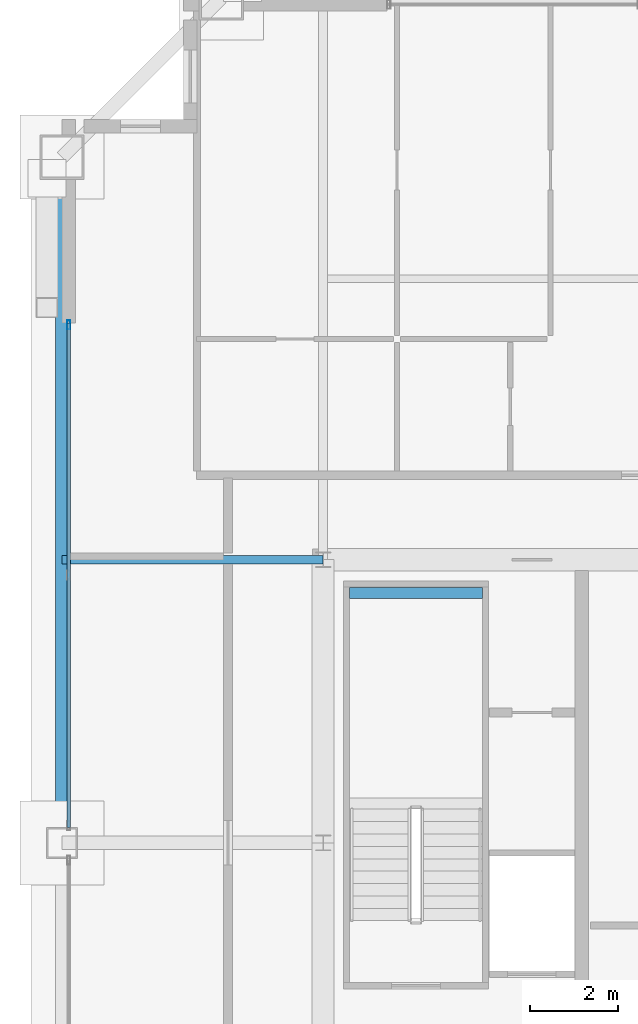
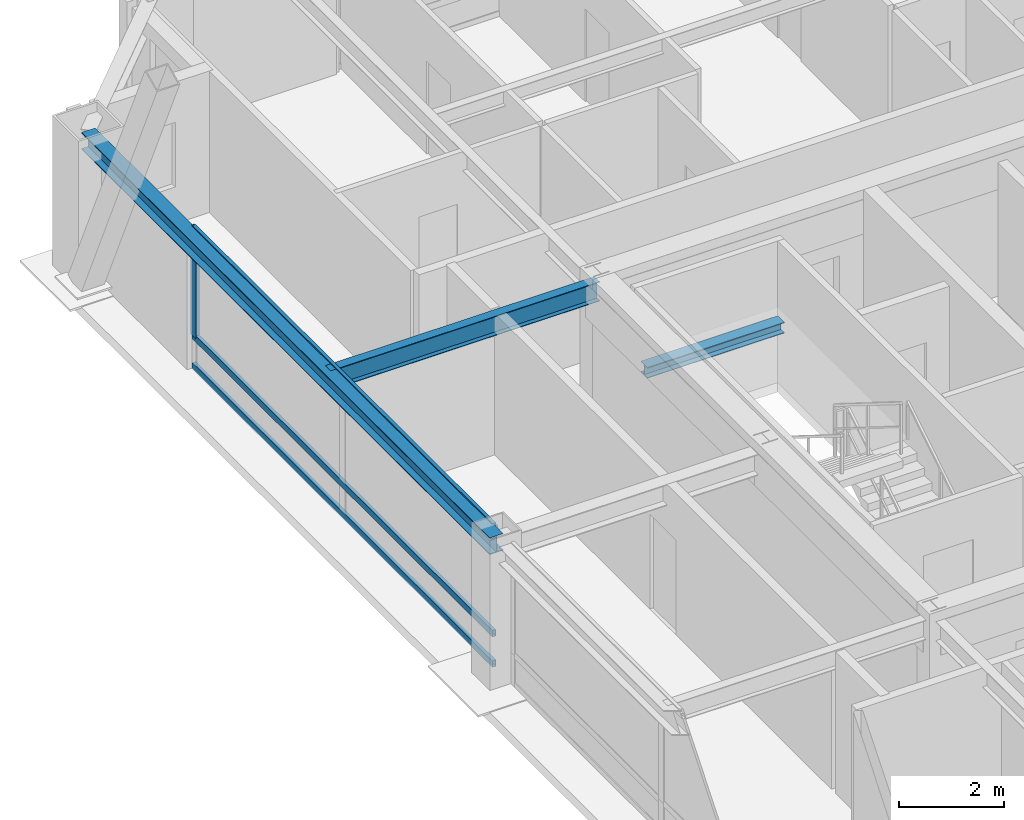
# One storey, part 12 of 35: 4 members, 3 beams, 1 element without a shape of its own.
"""IFC4 building model written with IfcOpenShell, lengths in metres."""

from ifc_helpers import new_model, si_unit, direction, frame, origin, origin_2d, place, context, subcontext, project, spatial, hollow_rectangle, i_section, extrude, source, transform, mapped, material, layer, layer_set, material_profile, profile_set, type_object, element, aggregate, save


model = new_model("IFC4")

# Units and contexts
model_context = context("Model", 3, precision=1e-05, world=origin(), true_north=direction((0.0, 1.0)))
body_context = subcontext(model_context, "Body", "Model", "MODEL_VIEW")
ifc_project = project(units=[si_unit("LENGTHUNIT", "METRE"), si_unit("AREAUNIT", "SQUARE_METRE"), si_unit("VOLUMEUNIT", "CUBIC_METRE"), si_unit("PLANEANGLEUNIT", "RADIAN"), si_unit("MASSUNIT", "GRAM", prefix="KILO"), si_unit("THERMODYNAMICTEMPERATUREUNIT", "KELVIN"), si_unit("POWERUNIT", "WATT")], contexts=[model_context])

# Site, building, storey
site_placement = place(None, origin())
site = spatial("IfcSite", under=ifc_project, at=site_placement, CompositionType="ELEMENT")
building_placement = place(site_placement, origin())
building = spatial("IfcBuilding", under=site, at=building_placement, Name="Yuzanri Waterfront Tower", CompositionType="ELEMENT")
storey_placement = place(building_placement, frame((0.0, 0.0, 285.60009765625)))
storey = spatial("IfcBuildingStorey", under=building, at=storey_placement, Name="L76", CompositionType="ELEMENT", Elevation=285.60009765625)

# Beams
ifc_material_1 = material(Name="Steel Q355B", Category="steel")
ifc_material_profile_1 = material_profile(ifc_material_1, i_section(OverallWidth=0.300048828125, OverallDepth=0.389892578125, WebThickness=0.010009765625, FlangeThickness=0.01611328125, at=origin_2d()), Name="HM 390x300x10x16")
ifc_profile_set_1 = profile_set([ifc_material_profile_1], Name="Steel Q355B")
beam_type_1 = type_object("IfcBeamType", Name="Perimeter Spandrel Q355B HM 390x300", PredefinedType="SPANDREL", material=ifc_profile_set_1)
shared_shape_1 = source(origin(), body_context, "Body", "SweptSolid", [
    extrude(i_section(OverallWidth=0.300048828125, OverallDepth=0.389892578125, WebThickness=0.010009765625, FlangeThickness=0.01611328125, at=origin_2d()), origin(), (0.0, 0.0, 1.0), 15.5),
])
beam_1_placement = place(storey_placement, frame((17.89990234375, 41.300048828125, 3.0849609375), z_axis=(0.0, -1.0, 0.0), x_axis=(1.0, 0.0, 0.0)))
element("IfcBeam", 1, at=beam_1_placement, inside=storey, type_object=beam_type_1, Name="L76 Perimeter Spandrel W3-W2", PredefinedType="SPANDREL", context=body_context, shape_type="MappedRepresentation", body=[
    mapped(shared_shape_1, transform((0.0, 0.0, 0.0), scale=1.0)),
])
ifc_material_2 = material(Name="Steel Q355B", Category="steel")
ifc_material_profile_2 = material_profile(ifc_material_2, i_section(OverallWidth=0.199951171875, OverallDepth=0.449951171875, WebThickness=0.009033203125, FlangeThickness=0.013916015625, at=origin_2d()), Name="HN 450x200x9x14")
ifc_profile_set_2 = profile_set([ifc_material_profile_2], Name="Steel Q355B")
beam_type_2 = type_object("IfcBeamType", Name="Secondary Floor Beam Q355B HN 450x200", PredefinedType="BEAM", material=ifc_profile_set_2)
shared_shape_2 = source(origin(), body_context, "Body", "SweptSolid", [
    extrude(i_section(OverallWidth=0.199951171875, OverallDepth=0.449951171875, WebThickness=0.009033203125, FlangeThickness=0.013916015625, at=origin_2d()), origin(), (0.0, 0.0, 1.0), 5.900146484375),
])
beam_2_placement = place(storey_placement, frame((23.800048828125, 32.199951171875, 3.054931640625), z_axis=(-1.0, 0.0, 0.0), x_axis=(0.0, -1.0, 0.0)))
element("IfcBeam", 2, at=beam_2_placement, inside=storey, type_object=beam_type_2, Name="L76 West-North Core Line Beam", PredefinedType="BEAM", context=body_context, shape_type="MappedRepresentation", body=[
    mapped(shared_shape_2, transform((0.0, 0.0, 0.0), scale=1.0)),
])

# Curtain wall, members
ifc_material_3 = material(Name="Anodized Architectural Bronze", Category="metal")
ifc_layer = layer(ifc_material_3, 0.159912109375)
ifc_layer_set = layer_set([ifc_layer], Name="Anodized Architectural Bronze")
curtain_wall_type = type_object("IfcCurtainWallType", Name="Anodized Bronze High-Rise Penthouse High-Wind Unitized Curtain Wall 6900", PredefinedType="NOTDEFINED", material=ifc_layer_set)
curtain_wall_placement = place(storey_placement, origin())
curtain_wall = element("IfcCurtainWall", 3, at=curtain_wall_placement, inside=storey, type_object=curtain_wall_type, Name="L76 Curtain Wall CW-L76-WR", PredefinedType="NOTDEFINED")
ifc_material_4 = material(Name="Anodized Architectural Bronze", Category="metal")
ifc_material_profile_3 = material_profile(ifc_material_4, hollow_rectangle(XDim=0.074951171875, YDim=0.199951171875, WallThickness=0.00390625, at=origin_2d()), Name="CWM 75x200")
ifc_profile_set_3 = profile_set([ifc_material_profile_3], Name="Anodized Architectural Bronze")
member_type_1 = type_object("IfcMemberType", Name="Anodized Bronze Primary Curtain-Wall Mullion 75x200", PredefinedType="MULLION", material=ifc_profile_set_3)
shared_shape_3 = source(origin(), body_context, "Body", "SweptSolid", [
    extrude(hollow_rectangle(XDim=0.074951171875, YDim=0.199951171875, WallThickness=0.00390625, at=origin_2d()), origin(), (0.0, 0.0, 1.0), 2.52392578125),
])
member_1_placement = place(storey_placement, frame((18.050048828125, 37.510009765625, 0.755859375), z_axis=(0.0, 0.0, 1.0), x_axis=(1.0, 0.0, 0.0)))
member_1 = element("IfcMember", 4, at=member_1_placement, type_object=member_type_1, Name="CW-L76-WR Upper Mullion 02", PredefinedType="MULLION", context=body_context, shape_type="MappedRepresentation", body=[
    mapped(shared_shape_3, transform((0.0, 0.0, 0.0), scale=1.0)),
])
ifc_material_5 = material(Name="Anodized Architectural Bronze", Category="metal")
ifc_material_profile_4 = material_profile(ifc_material_5, hollow_rectangle(XDim=0.074951171875, YDim=0.14990234375, WallThickness=0.00390625, at=origin_2d()), Name="CWT 75x150")
ifc_profile_set_4 = profile_set([ifc_material_profile_4], Name="Anodized Architectural Bronze")
member_type_2 = type_object("IfcMemberType", Name="Anodized Bronze Primary Curtain-Wall Transom 75x150", PredefinedType="USERDEFINED", material=ifc_profile_set_4)
shared_shape_4 = source(origin(), body_context, "Body", "SweptSolid", [
    extrude(hollow_rectangle(XDim=0.074951171875, YDim=0.14990234375, WallThickness=0.00390625, at=origin_2d()), origin(), (0.0, 0.0, 1.0), 11.400146484375),
])
member_2_placement = place(storey_placement, frame((18.050048828125, 26.14990234375, 0.0498046875), z_axis=(0.0, 1.0, 0.0), x_axis=(-1.0, 0.0, 0.0)))
member_2 = element("IfcMember", 5, at=member_2_placement, type_object=member_type_2, Name="CW-L76-WR Transom 1", ObjectType="TRANSOM", PredefinedType="USERDEFINED", context=body_context, shape_type="MappedRepresentation", body=[
    mapped(shared_shape_4, transform((0.0, 0.0, 0.0), scale=1.0)),
])
member_3_placement = place(storey_placement, frame((18.050048828125, 26.14990234375, 0.75390625), z_axis=(0.0, 1.0, 0.0), x_axis=(-1.0, 0.0, 0.0)))
member_3 = element("IfcMember", 6, at=member_3_placement, type_object=member_type_2, Name="CW-L76-WR Transom 2", ObjectType="TRANSOM", PredefinedType="USERDEFINED", context=body_context, shape_type="MappedRepresentation", body=[
    mapped(shared_shape_4, transform((0.0, 0.0, 0.0), scale=1.0)),
])
member_4_placement = place(storey_placement, frame((18.050048828125, 26.14990234375, 3.22998046875), z_axis=(0.0, 1.0, 0.0), x_axis=(-1.0, 0.0, 0.0)))
member_4 = element("IfcMember", 7, at=member_4_placement, type_object=member_type_2, Name="CW-L76-WR Transom 3", ObjectType="TRANSOM", PredefinedType="USERDEFINED", context=body_context, shape_type="MappedRepresentation", body=[
    mapped(shared_shape_4, transform((0.0, 0.0, 0.0), scale=1.0)),
])
aggregate(curtain_wall, [member_1, member_2, member_3, member_4])

# Beam
ifc_material_6 = material(Name="Steel Q355B", Category="steel")
ifc_material_profile_5 = material_profile(ifc_material_6, i_section(OverallWidth=0.25, OverallDepth=0.25, WebThickness=0.009033203125, FlangeThickness=0.013916015625, at=origin_2d()), Name="HW 250x250x9x14")
ifc_profile_set_5 = profile_set([ifc_material_profile_5], Name="Steel Q355B")
beam_type_3 = type_object("IfcBeamType", Name="Stair Landing Support Beam Q355B HW 250x250", PredefinedType="BEAM", material=ifc_profile_set_5)
shared_shape_5 = source(origin(), body_context, "Body", "SweptSolid", [
    extrude(i_section(OverallWidth=0.25, OverallDepth=0.25, WebThickness=0.009033203125, FlangeThickness=0.013916015625, at=origin_2d()), origin(), (0.0, 0.0, 1.0), 3.0),
])
beam_3_placement = place(storey_placement, frame((24.39990234375, 31.449951171875, 1.4248046875), z_axis=(1.0, 0.0, 0.0), x_axis=(0.0, 1.0, 0.0)))
element("IfcBeam", 8, at=beam_3_placement, inside=storey, type_object=beam_type_3, Name="L76 Stair Landing Support Beam ST-01-L76-L1-2", PredefinedType="BEAM", context=body_context, shape_type="MappedRepresentation", body=[
    mapped(shared_shape_5, transform((0.0, 0.0, 0.0), scale=1.0)),
])

save(model, "model.ifc")
